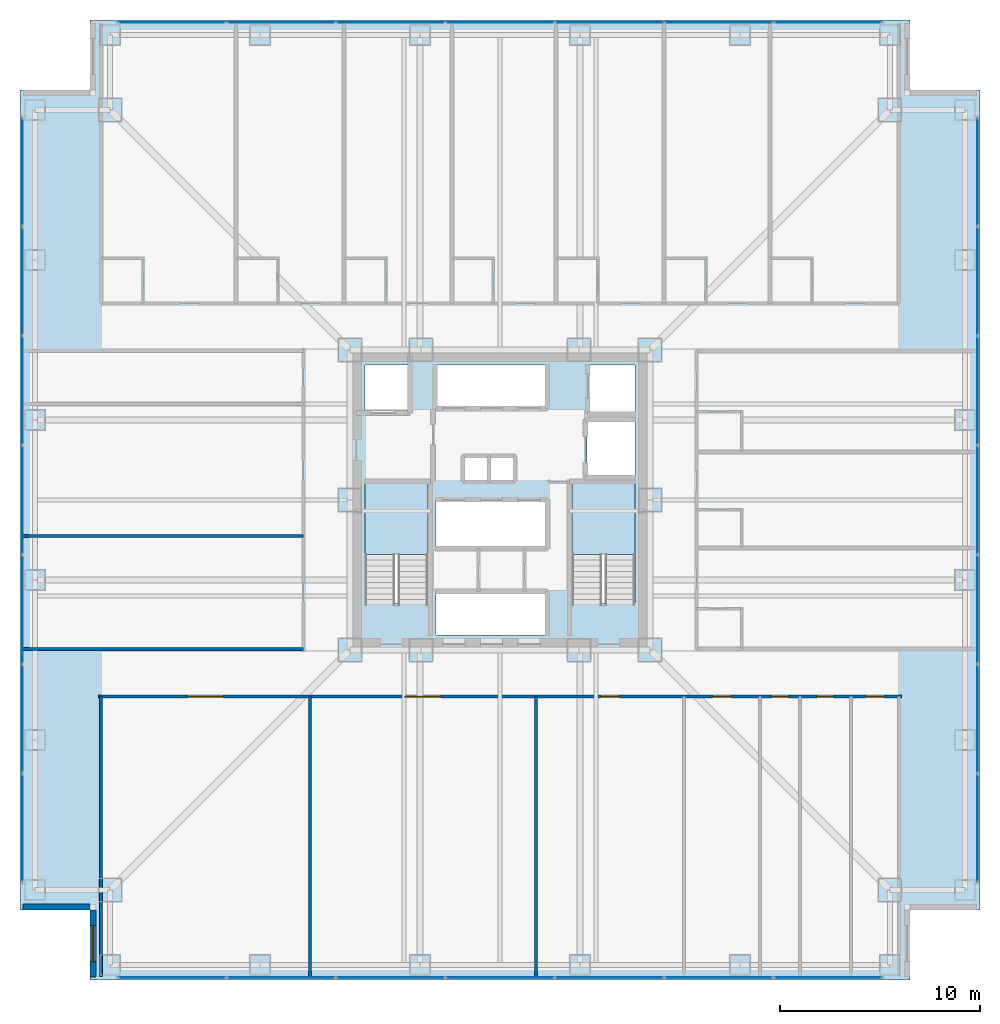
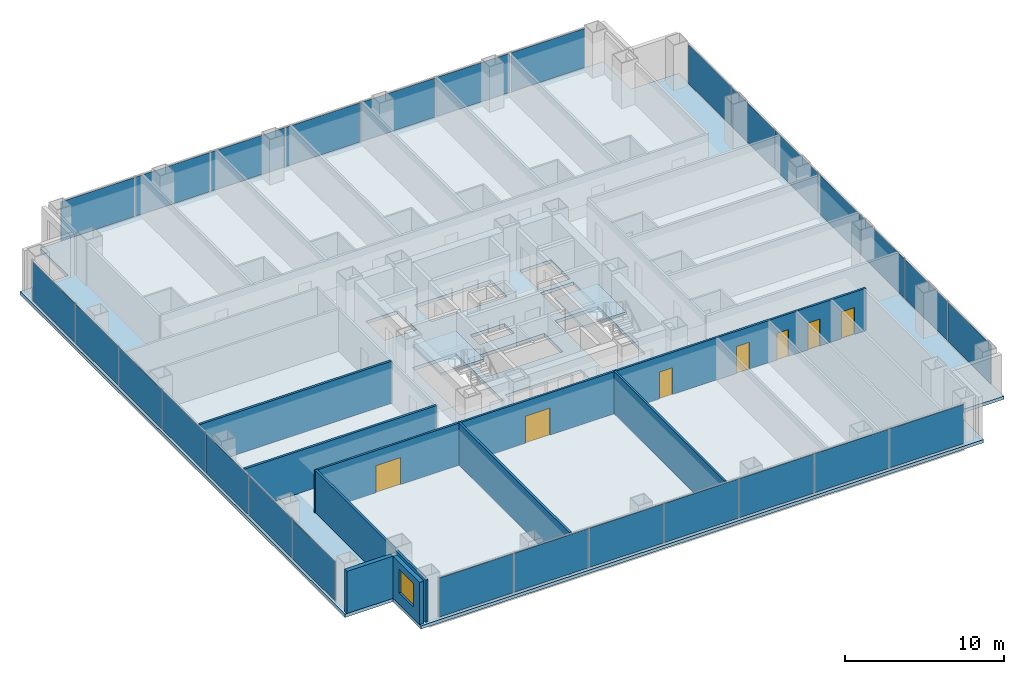
# One storey, part 10 of 16: 28 plates, 8 walls, 7 doors, 3 slabs, 1 window, 8 openings, 6 elements without a shape of their own.
"""IFC4 building model written with IfcOpenShell, lengths in metres."""

from ifc_helpers import new_model, si_unit, direction, frame, frame_2d, origin, origin_2d, place, context, subcontext, project, spatial, polyline, rectangle, outline, extrude, material, layer, layer_set, type_object, element, fill, aggregate, save


model = new_model("IFC4")

# Units and contexts
model_context = context("Model", 3, precision=1e-05, world=origin(), true_north=direction((0.0, 1.0)))
body_context = subcontext(model_context, "Body", "Model", "MODEL_VIEW")
ifc_project = project(units=[si_unit("LENGTHUNIT", "METRE"), si_unit("AREAUNIT", "SQUARE_METRE"), si_unit("VOLUMEUNIT", "CUBIC_METRE"), si_unit("PLANEANGLEUNIT", "RADIAN"), si_unit("MASSUNIT", "GRAM", prefix="KILO")], contexts=[model_context])

# Site, building, storey
site_placement = place(None, origin())
site = spatial("IfcSite", under=ifc_project, at=site_placement, CompositionType="ELEMENT")
building_placement = place(site_placement, origin())
building = spatial("IfcBuilding", under=site, at=building_placement, Name="Trevonay Congress Spire", CompositionType="ELEMENT")
storey_placement = place(building_placement, frame((0.0, 0.0, 72.5)))
storey = spatial("IfcBuildingStorey", under=building, at=storey_placement, Name="L18", CompositionType="ELEMENT", Elevation=72.5)

# Curtain wall, plates
ifc_material_1 = material(Name="Pale Anodised Aluminium EN AW-6063-T6", Category="aluminium")
ifc_layer_1 = layer(ifc_material_1, 0.179931640625, Name="Pale Anodised Aluminium EN AW-6063-T6")
ifc_layer_set_1 = layer_set([ifc_layer_1], Name="Pale Anodised Aluminium EN AW-6063-T6")
curtain_wall_type = type_object("IfcCurtainWallType", Name="CW-SYS02-HOTEL-PALE-METAL", PredefinedType="NOTDEFINED", material=ifc_layer_set_1)
curtain_wall_1_placement = place(storey_placement, origin())
curtain_wall_1 = element("IfcCurtainWall", 1, at=curtain_wall_1_placement, inside=storey, type_object=curtain_wall_type, Name="L18 S unitised curtain wall", PredefinedType="NOTDEFINED")
ifc_material_2 = material(Name="Insulated Low-E Vision Glass IGU", Category="glass")
ifc_layer_2 = layer(ifc_material_2, 0.035888671875, Name="Insulated Low-E Vision Glass IGU")
ifc_layer_set_2 = layer_set([ifc_layer_2], Name="Insulated Low-E Vision Glass IGU")
plate_type = type_object("IfcPlateType", Name="CW-PANEL-IGU36-SILVER", PredefinedType="CURTAIN_PANEL", material=ifc_layer_set_2)
plate_1_placement = place(storey_placement, frame((-16.399169921875, -23.8798828125, 0.1201171875), z_axis=(0.0, 0.0, 1.0), x_axis=(1.0, 0.0, 0.0)))
plate_1 = element("IfcPlate", 2, at=plate_1_placement, type_object=plate_type, Name="CW02 panel 1.1", PredefinedType="CURTAIN_PANEL", context=body_context, shape_type="SweptSolid", body=[
    extrude(rectangle(XDim=5.38134765625, YDim=0.035888671875, at=origin_2d()), origin(), (0.0, 0.0, 1.0), 3.010009765625),
])
plate_2_placement = place(storey_placement, frame((-10.94287109375, -23.8798828125, 0.1201171875), z_axis=(0.0, 0.0, 1.0), x_axis=(1.0, 0.0, 0.0)))
plate_2 = element("IfcPlate", 3, at=plate_2_placement, type_object=plate_type, Name="CW02 panel 2.1", PredefinedType="CURTAIN_PANEL", context=body_context, shape_type="SweptSolid", body=[
    extrude(rectangle(XDim=5.411376953125, YDim=0.035888671875, at=origin_2d()), origin(), (0.0, 0.0, 1.0), 3.010009765625),
])
plate_3_placement = place(storey_placement, frame((-5.471435546875, -23.8798828125, 0.1201171875), z_axis=(0.0, 0.0, 1.0), x_axis=(1.0, 0.0, 0.0)))
plate_3 = element("IfcPlate", 4, at=plate_3_placement, type_object=plate_type, Name="CW02 panel 3.1", PredefinedType="CURTAIN_PANEL", context=body_context, shape_type="SweptSolid", body=[
    extrude(rectangle(XDim=5.411376953125, YDim=0.035888671875, at=origin_2d()), origin(), (0.0, 0.0, 1.0), 3.010009765625),
])
plate_4_placement = place(storey_placement, frame((0.0, -23.8798828125, 0.1201171875), z_axis=(0.0, 0.0, 1.0), x_axis=(1.0, 0.0, 0.0)))
plate_4 = element("IfcPlate", 5, at=plate_4_placement, type_object=plate_type, Name="CW02 panel 4.1", PredefinedType="CURTAIN_PANEL", context=body_context, shape_type="SweptSolid", body=[
    extrude(rectangle(XDim=5.411376953125, YDim=0.035888671875, at=origin_2d()), origin(), (0.0, 0.0, 1.0), 3.010009765625),
])
plate_5_placement = place(storey_placement, frame((5.471435546875, -23.8798828125, 0.1201171875), z_axis=(0.0, 0.0, 1.0), x_axis=(1.0, 0.0, 0.0)))
plate_5 = element("IfcPlate", 6, at=plate_5_placement, type_object=plate_type, Name="CW02 panel 5.1", PredefinedType="CURTAIN_PANEL", context=body_context, shape_type="SweptSolid", body=[
    extrude(rectangle(XDim=5.411376953125, YDim=0.035888671875, at=origin_2d()), origin(), (0.0, 0.0, 1.0), 3.010009765625),
])
plate_6_placement = place(storey_placement, frame((10.94287109375, -23.8798828125, 0.1201171875), z_axis=(0.0, 0.0, 1.0), x_axis=(1.0, 0.0, 0.0)))
plate_6 = element("IfcPlate", 7, at=plate_6_placement, type_object=plate_type, Name="CW02 panel 6.1", PredefinedType="CURTAIN_PANEL", context=body_context, shape_type="SweptSolid", body=[
    extrude(rectangle(XDim=5.411376953125, YDim=0.035888671875, at=origin_2d()), origin(), (0.0, 0.0, 1.0), 3.010009765625),
])
plate_7_placement = place(storey_placement, frame((16.399169921875, -23.8798828125, 0.1201171875), z_axis=(0.0, 0.0, 1.0), x_axis=(1.0, 0.0, 0.0)))
plate_7 = element("IfcPlate", 8, at=plate_7_placement, type_object=plate_type, Name="CW02 panel 7.1", PredefinedType="CURTAIN_PANEL", context=body_context, shape_type="SweptSolid", body=[
    extrude(rectangle(XDim=5.38134765625, YDim=0.035888671875, at=origin_2d()), origin(), (0.0, 0.0, 1.0), 3.010009765625),
])
aggregate(curtain_wall_1, [plate_1, plate_2, plate_3, plate_4, plate_5, plate_6, plate_7])

curtain_wall_2_placement = place(storey_placement, origin())
curtain_wall_2 = element("IfcCurtainWall", 9, at=curtain_wall_2_placement, inside=storey, type_object=curtain_wall_type, Name="L18 N unitised curtain wall", PredefinedType="NOTDEFINED")
plate_8_placement = place(storey_placement, frame((-16.399169921875, 23.8798828125, 0.1201171875), z_axis=(0.0, 0.0, 1.0), x_axis=(1.0, 0.0, 0.0)))
plate_8 = element("IfcPlate", 10, at=plate_8_placement, type_object=plate_type, Name="CW02 panel 1.1", PredefinedType="CURTAIN_PANEL", context=body_context, shape_type="SweptSolid", body=[
    extrude(rectangle(XDim=5.38134765625, YDim=0.035888671875, at=origin_2d()), origin(), (0.0, 0.0, 1.0), 3.010009765625),
])
plate_9_placement = place(storey_placement, frame((-10.94287109375, 23.8798828125, 0.1201171875), z_axis=(0.0, 0.0, 1.0), x_axis=(1.0, 0.0, 0.0)))
plate_9 = element("IfcPlate", 11, at=plate_9_placement, type_object=plate_type, Name="CW02 panel 2.1", PredefinedType="CURTAIN_PANEL", context=body_context, shape_type="SweptSolid", body=[
    extrude(rectangle(XDim=5.411376953125, YDim=0.035888671875, at=origin_2d()), origin(), (0.0, 0.0, 1.0), 3.010009765625),
])
plate_10_placement = place(storey_placement, frame((-5.471435546875, 23.8798828125, 0.1201171875), z_axis=(0.0, 0.0, 1.0), x_axis=(1.0, 0.0, 0.0)))
plate_10 = element("IfcPlate", 12, at=plate_10_placement, type_object=plate_type, Name="CW02 panel 3.1", PredefinedType="CURTAIN_PANEL", context=body_context, shape_type="SweptSolid", body=[
    extrude(rectangle(XDim=5.411376953125, YDim=0.035888671875, at=origin_2d()), origin(), (0.0, 0.0, 1.0), 3.010009765625),
])
plate_11_placement = place(storey_placement, frame((0.0, 23.8798828125, 0.1201171875), z_axis=(0.0, 0.0, 1.0), x_axis=(1.0, 0.0, 0.0)))
plate_11 = element("IfcPlate", 13, at=plate_11_placement, type_object=plate_type, Name="CW02 panel 4.1", PredefinedType="CURTAIN_PANEL", context=body_context, shape_type="SweptSolid", body=[
    extrude(rectangle(XDim=5.411376953125, YDim=0.035888671875, at=origin_2d()), origin(), (0.0, 0.0, 1.0), 3.010009765625),
])
plate_12_placement = place(storey_placement, frame((5.471435546875, 23.8798828125, 0.1201171875), z_axis=(0.0, 0.0, 1.0), x_axis=(1.0, 0.0, 0.0)))
plate_12 = element("IfcPlate", 14, at=plate_12_placement, type_object=plate_type, Name="CW02 panel 5.1", PredefinedType="CURTAIN_PANEL", context=body_context, shape_type="SweptSolid", body=[
    extrude(rectangle(XDim=5.411376953125, YDim=0.035888671875, at=origin_2d()), origin(), (0.0, 0.0, 1.0), 3.010009765625),
])
plate_13_placement = place(storey_placement, frame((10.94287109375, 23.8798828125, 0.1201171875), z_axis=(0.0, 0.0, 1.0), x_axis=(1.0, 0.0, 0.0)))
plate_13 = element("IfcPlate", 15, at=plate_13_placement, type_object=plate_type, Name="CW02 panel 6.1", PredefinedType="CURTAIN_PANEL", context=body_context, shape_type="SweptSolid", body=[
    extrude(rectangle(XDim=5.411376953125, YDim=0.035888671875, at=origin_2d()), origin(), (0.0, 0.0, 1.0), 3.010009765625),
])
plate_14_placement = place(storey_placement, frame((16.399169921875, 23.8798828125, 0.1201171875), z_axis=(0.0, 0.0, 1.0), x_axis=(1.0, 0.0, 0.0)))
plate_14 = element("IfcPlate", 16, at=plate_14_placement, type_object=plate_type, Name="CW02 panel 7.1", PredefinedType="CURTAIN_PANEL", context=body_context, shape_type="SweptSolid", body=[
    extrude(rectangle(XDim=5.38134765625, YDim=0.035888671875, at=origin_2d()), origin(), (0.0, 0.0, 1.0), 3.010009765625),
])
aggregate(curtain_wall_2, [plate_8, plate_9, plate_10, plate_11, plate_12, plate_13, plate_14])

curtain_wall_3_placement = place(storey_placement, origin())
curtain_wall_3 = element("IfcCurtainWall", 17, at=curtain_wall_3_placement, inside=storey, type_object=curtain_wall_type, Name="L18 W unitised curtain wall", PredefinedType="NOTDEFINED")
plate_15_placement = place(storey_placement, frame((-23.8798828125, -16.399169921875, 0.1201171875), z_axis=(0.0, 0.0, 1.0), x_axis=(0.0, 1.0, 0.0)))
plate_15 = element("IfcPlate", 18, at=plate_15_placement, type_object=plate_type, Name="CW02 panel 1.1", PredefinedType="CURTAIN_PANEL", context=body_context, shape_type="SweptSolid", body=[
    extrude(rectangle(XDim=5.38134765625, YDim=0.035888671875, at=origin_2d()), origin(), (0.0, 0.0, 1.0), 3.010009765625),
])
plate_16_placement = place(storey_placement, frame((-23.8798828125, -10.94287109375, 0.1201171875), z_axis=(0.0, 0.0, 1.0), x_axis=(0.0, 1.0, 0.0)))
plate_16 = element("IfcPlate", 19, at=plate_16_placement, type_object=plate_type, Name="CW02 panel 2.1", PredefinedType="CURTAIN_PANEL", context=body_context, shape_type="SweptSolid", body=[
    extrude(rectangle(XDim=5.411376953125, YDim=0.035888671875, at=origin_2d()), origin(), (0.0, 0.0, 1.0), 3.010009765625),
])
plate_17_placement = place(storey_placement, frame((-23.8798828125, -5.471435546875, 0.1201171875), z_axis=(0.0, 0.0, 1.0), x_axis=(0.0, 1.0, 0.0)))
plate_17 = element("IfcPlate", 20, at=plate_17_placement, type_object=plate_type, Name="CW02 panel 3.1", PredefinedType="CURTAIN_PANEL", context=body_context, shape_type="SweptSolid", body=[
    extrude(rectangle(XDim=5.411376953125, YDim=0.035888671875, at=origin_2d()), origin(), (0.0, 0.0, 1.0), 3.010009765625),
])
plate_18_placement = place(storey_placement, frame((-23.8798828125, 0.0, 0.1201171875), z_axis=(0.0, 0.0, 1.0), x_axis=(0.0, 1.0, 0.0)))
plate_18 = element("IfcPlate", 21, at=plate_18_placement, type_object=plate_type, Name="CW02 panel 4.1", PredefinedType="CURTAIN_PANEL", context=body_context, shape_type="SweptSolid", body=[
    extrude(rectangle(XDim=5.411376953125, YDim=0.035888671875, at=origin_2d()), origin(), (0.0, 0.0, 1.0), 3.010009765625),
])
plate_19_placement = place(storey_placement, frame((-23.8798828125, 5.471435546875, 0.1201171875), z_axis=(0.0, 0.0, 1.0), x_axis=(0.0, 1.0, 0.0)))
plate_19 = element("IfcPlate", 22, at=plate_19_placement, type_object=plate_type, Name="CW02 panel 5.1", PredefinedType="CURTAIN_PANEL", context=body_context, shape_type="SweptSolid", body=[
    extrude(rectangle(XDim=5.411376953125, YDim=0.035888671875, at=origin_2d()), origin(), (0.0, 0.0, 1.0), 3.010009765625),
])
plate_20_placement = place(storey_placement, frame((-23.8798828125, 10.94287109375, 0.1201171875), z_axis=(0.0, 0.0, 1.0), x_axis=(0.0, 1.0, 0.0)))
plate_20 = element("IfcPlate", 23, at=plate_20_placement, type_object=plate_type, Name="CW02 panel 6.1", PredefinedType="CURTAIN_PANEL", context=body_context, shape_type="SweptSolid", body=[
    extrude(rectangle(XDim=5.411376953125, YDim=0.035888671875, at=origin_2d()), origin(), (0.0, 0.0, 1.0), 3.010009765625),
])
plate_21_placement = place(storey_placement, frame((-23.8798828125, 16.399169921875, 0.1201171875), z_axis=(0.0, 0.0, 1.0), x_axis=(0.0, 1.0, 0.0)))
plate_21 = element("IfcPlate", 24, at=plate_21_placement, type_object=plate_type, Name="CW02 panel 7.1", PredefinedType="CURTAIN_PANEL", context=body_context, shape_type="SweptSolid", body=[
    extrude(rectangle(XDim=5.38134765625, YDim=0.035888671875, at=origin_2d()), origin(), (0.0, 0.0, 1.0), 3.010009765625),
])
aggregate(curtain_wall_3, [plate_15, plate_16, plate_17, plate_18, plate_19, plate_20, plate_21])

curtain_wall_4_placement = place(storey_placement, origin())
curtain_wall_4 = element("IfcCurtainWall", 25, at=curtain_wall_4_placement, inside=storey, type_object=curtain_wall_type, Name="L18 E unitised curtain wall", PredefinedType="NOTDEFINED")
plate_22_placement = place(storey_placement, frame((23.8798828125, -16.399169921875, 0.1201171875), z_axis=(0.0, 0.0, 1.0), x_axis=(0.0, 1.0, 0.0)))
plate_22 = element("IfcPlate", 26, at=plate_22_placement, type_object=plate_type, Name="CW02 panel 1.1", PredefinedType="CURTAIN_PANEL", context=body_context, shape_type="SweptSolid", body=[
    extrude(rectangle(XDim=5.38134765625, YDim=0.035888671875, at=origin_2d()), origin(), (0.0, 0.0, 1.0), 3.010009765625),
])
plate_23_placement = place(storey_placement, frame((23.8798828125, -10.94287109375, 0.1201171875), z_axis=(0.0, 0.0, 1.0), x_axis=(0.0, 1.0, 0.0)))
plate_23 = element("IfcPlate", 27, at=plate_23_placement, type_object=plate_type, Name="CW02 panel 2.1", PredefinedType="CURTAIN_PANEL", context=body_context, shape_type="SweptSolid", body=[
    extrude(rectangle(XDim=5.411376953125, YDim=0.035888671875, at=origin_2d()), origin(), (0.0, 0.0, 1.0), 3.010009765625),
])
plate_24_placement = place(storey_placement, frame((23.8798828125, -5.471435546875, 0.1201171875), z_axis=(0.0, 0.0, 1.0), x_axis=(0.0, 1.0, 0.0)))
plate_24 = element("IfcPlate", 28, at=plate_24_placement, type_object=plate_type, Name="CW02 panel 3.1", PredefinedType="CURTAIN_PANEL", context=body_context, shape_type="SweptSolid", body=[
    extrude(rectangle(XDim=5.411376953125, YDim=0.035888671875, at=origin_2d()), origin(), (0.0, 0.0, 1.0), 3.010009765625),
])
plate_25_placement = place(storey_placement, frame((23.8798828125, 0.0, 0.1201171875), z_axis=(0.0, 0.0, 1.0), x_axis=(0.0, 1.0, 0.0)))
plate_25 = element("IfcPlate", 29, at=plate_25_placement, type_object=plate_type, Name="CW02 panel 4.1", PredefinedType="CURTAIN_PANEL", context=body_context, shape_type="SweptSolid", body=[
    extrude(rectangle(XDim=5.411376953125, YDim=0.035888671875, at=origin_2d()), origin(), (0.0, 0.0, 1.0), 3.010009765625),
])
plate_26_placement = place(storey_placement, frame((23.8798828125, 5.471435546875, 0.1201171875), z_axis=(0.0, 0.0, 1.0), x_axis=(0.0, 1.0, 0.0)))
plate_26 = element("IfcPlate", 30, at=plate_26_placement, type_object=plate_type, Name="CW02 panel 5.1", PredefinedType="CURTAIN_PANEL", context=body_context, shape_type="SweptSolid", body=[
    extrude(rectangle(XDim=5.411376953125, YDim=0.035888671875, at=origin_2d()), origin(), (0.0, 0.0, 1.0), 3.010009765625),
])
plate_27_placement = place(storey_placement, frame((23.8798828125, 10.94287109375, 0.1201171875), z_axis=(0.0, 0.0, 1.0), x_axis=(0.0, 1.0, 0.0)))
plate_27 = element("IfcPlate", 31, at=plate_27_placement, type_object=plate_type, Name="CW02 panel 6.1", PredefinedType="CURTAIN_PANEL", context=body_context, shape_type="SweptSolid", body=[
    extrude(rectangle(XDim=5.411376953125, YDim=0.035888671875, at=origin_2d()), origin(), (0.0, 0.0, 1.0), 3.010009765625),
])
plate_28_placement = place(storey_placement, frame((23.8798828125, 16.399169921875, 0.1201171875), z_axis=(0.0, 0.0, 1.0), x_axis=(0.0, 1.0, 0.0)))
plate_28 = element("IfcPlate", 32, at=plate_28_placement, type_object=plate_type, Name="CW02 panel 7.1", PredefinedType="CURTAIN_PANEL", context=body_context, shape_type="SweptSolid", body=[
    extrude(rectangle(XDim=5.38134765625, YDim=0.035888671875, at=origin_2d()), origin(), (0.0, 0.0, 1.0), 3.010009765625),
])
aggregate(curtain_wall_4, [plate_22, plate_23, plate_24, plate_25, plate_26, plate_27, plate_28])

# Stair, slab
ifc_material_3 = material(Name="Concrete C40/50", Category="concrete")
stair_type_1 = type_object("IfcStairType", Name="STR-ST-1", PredefinedType="HALF_TURN_STAIR", material=ifc_material_3)
stair_1_placement = place(storey_placement, origin())
stair_1 = element("IfcStair", 33, at=stair_1_placement, inside=storey, type_object=stair_type_1, Name="L18 Protected Exit Stair ST-1", PredefinedType="HALF_TURN_STAIR")
ifc_layer_3 = layer(ifc_material_3, 0.199951171875, Name="Concrete C40/50")
ifc_layer_set_3 = layer_set([ifc_layer_3], Name="Concrete C40/50")
slab_type_1 = type_object("IfcSlabType", Name="SLB-STAIR-LAND-200", PredefinedType="LANDING", material=ifc_layer_set_3)
slab_1_placement = place(storey_placement, frame((0.0, 0.0, 1.550048828125)))
slab_1 = element("IfcSlab", 34, at=slab_1_placement, type_object=slab_type_1, Name="ST-1 landing 1", PredefinedType="LANDING", context=body_context, shape_type="SweptSolid", body=[
    extrude(outline(polyline([(-3.60009765625, -2.72998046875), (-3.60009765625, 0.85009765625), (-6.75, 0.85009765625), (-6.75, -2.72998046875), (-3.60009765625, -2.72998046875)])), origin(), (0.0, 0.0, 1.0), 0.199951171875),
])
aggregate(stair_1, [slab_1])

stair_type_2 = type_object("IfcStairType", Name="STR-ST-2", PredefinedType="HALF_TURN_STAIR", material=ifc_material_3)
stair_2_placement = place(storey_placement, origin())
stair_2 = element("IfcStair", 35, at=stair_2_placement, inside=storey, type_object=stair_type_2, Name="L18 Protected Exit Stair ST-2", PredefinedType="HALF_TURN_STAIR")
slab_2_placement = place(storey_placement, frame((0.0, 0.0, 1.550048828125)))
slab_2 = element("IfcSlab", 36, at=slab_2_placement, type_object=slab_type_1, Name="ST-2 landing 1", PredefinedType="LANDING", context=body_context, shape_type="SweptSolid", body=[
    extrude(outline(polyline([(6.75, -2.72998046875), (6.75, 0.85009765625), (3.60009765625, 0.85009765625), (3.60009765625, -2.72998046875), (6.75, -2.72998046875)])), origin(), (0.0, 0.0, 1.0), 0.199951171875),
])
aggregate(stair_2, [slab_2])

# Slab
ifc_layer_4 = layer(ifc_material_3, 0.25, Name="Concrete C40/50")
ifc_layer_set_4 = layer_set([ifc_layer_4], Name="Concrete C40/50")
slab_type_2 = type_object("IfcSlabType", Name="SLB-TOW1-250", PredefinedType="FLOOR", material=ifc_layer_set_4)
slab_3_placement = place(storey_placement, frame((0.0, 0.0, -0.25)))
element("IfcSlab", 37, at=slab_3_placement, inside=storey, type_object=slab_type_2, Name="L18 structural floor slab", PredefinedType="FLOOR", context=body_context, shape_type="SweptSolid", body=[
    extrude(outline(polyline([(-20.5, -24.0), (20.5, -24.0), (20.5, -20.5), (24.0, -20.5), (24.0, 20.5), (20.5, 20.5), (20.5, 24.0), (-20.5, 24.0), (-20.5, 20.5), (-24.0, 20.5), (-24.0, -20.5), (-20.5, -20.5), (-20.5, -24.0)]), holes=[polyline([(-3.60009765625, -5.14990234375), (-3.60009765625, 0.85009765625), (-6.75, 0.85009765625), (-6.75, -5.14990234375), (-3.60009765625, -5.14990234375)]), polyline([(6.75, -5.14990234375), (6.75, 0.85009765625), (3.60009765625, 0.85009765625), (3.60009765625, -5.14990234375), (6.75, -5.14990234375)]), polyline([(-3.199951171875, -6.75), (2.340087890625, -6.75), (2.340087890625, -4.64990234375), (-3.199951171875, -4.64990234375), (-3.199951171875, -6.75)]), polyline([(-3.199951171875, -2.35009765625), (2.340087890625, -2.35009765625), (2.340087890625, -0.050048828125), (-3.199951171875, -0.050048828125), (-3.199951171875, -2.35009765625)]), polyline([(-3.199951171875, 4.64990234375), (2.340087890625, 4.64990234375), (2.340087890625, 6.75), (-3.199951171875, 6.75), (-3.199951171875, 4.64990234375)]), polyline([(-6.75, 4.35009765625), (-4.449951171875, 4.35009765625), (-4.449951171875, 6.75), (-6.75, 6.75), (-6.75, 4.35009765625)]), polyline([(4.449951171875, 4.35009765625), (6.75, 4.35009765625), (6.75, 6.75), (4.449951171875, 6.75), (4.449951171875, 4.35009765625)]), polyline([(4.35009765625, 1.199951171875), (6.75, 1.199951171875), (6.75, 3.949951171875), (4.35009765625, 3.949951171875), (4.35009765625, 1.199951171875)]), polyline([(-1.800048828125, 0.949951171875), (0.699951171875, 0.949951171875), (0.699951171875, 2.14990234375), (-1.800048828125, 2.14990234375), (-1.800048828125, 0.949951171875)])]), origin(), (0.0, 0.0, 1.0), 0.25),
])

# Wall, openings, doors
ifc_layer_5 = layer(ifc_material_3, 0.14990234375, Name="Concrete C40/50")
ifc_layer_set_5 = layer_set([ifc_layer_5], Name="Concrete C40/50")
wall_type_1 = type_object("IfcWallType", Name="WAL-CORR-150", PredefinedType="PARTITIONING", material=ifc_layer_set_5)
wall_1_placement = place(storey_placement, frame((-20.070068359375, -9.830078125, 0.0), z_axis=(0.0, 0.0, 1.0), x_axis=(1.0, 0.0, 0.0)))
wall_1 = element("IfcWall", 38, at=wall_1_placement, inside=storey, type_object=wall_type_1, Name="L18 interior wall WP-L18S-COR", PredefinedType="PARTITIONING", context=body_context, shape_type="SweptSolid", body=[
    extrude(rectangle(XDim=40.14013671875, YDim=0.14990234375, at=frame_2d((20.070068359375, 0.0))), origin(), (0.0, 0.0, 1.0), 3.25),
])
opening_1_placement = place(wall_1_placement, frame((4.445068359375, 0.0, 0.0)))
opening_1 = element("IfcOpeningElement", 39, at=opening_1_placement, cuts=wall_1, Name="Opening D09", PredefinedType="OPENING", context=body_context, shape_type="SweptSolid", body=[
    extrude(rectangle(XDim=1.800048828125, YDim=2.080078125, at=frame_2d((0.89990234375, 1.0400390625))), frame((0.0, 0.0849609375, 0.0), z_axis=(0.0, -1.0, 0.0), x_axis=(1.0, 0.0, 0.0)), (0.0, 0.0, 1.0), 0.169921875),
])
opening_2_placement = place(wall_1_placement, frame((15.320068359375, 0.0, 0.0)))
opening_2 = element("IfcOpeningElement", 40, at=opening_2_placement, cuts=wall_1, Name="Opening D09", PredefinedType="OPENING", context=body_context, shape_type="SweptSolid", body=[
    extrude(rectangle(XDim=1.800048828125, YDim=2.080078125, at=frame_2d((0.89990234375, 1.0400390625))), frame((0.0, 0.0849609375, 0.0), z_axis=(0.0, -1.0, 0.0), x_axis=(1.0, 0.0, 0.0)), (0.0, 0.0, 1.0), 0.169921875),
])
opening_3_placement = place(wall_1_placement, frame((25.094970703125, 0.0, 0.0)))
opening_3 = element("IfcOpeningElement", 41, at=opening_3_placement, cuts=wall_1, Name="Opening D07", PredefinedType="OPENING", context=body_context, shape_type="SweptSolid", body=[
    extrude(rectangle(XDim=0.949951171875, YDim=2.06005859375, at=frame_2d((0.47509765625, 1.030029296875))), frame((0.0, 0.0849609375, 0.0), z_axis=(0.0, -1.0, 0.0), x_axis=(1.0, 0.0, 0.0)), (0.0, 0.0, 1.0), 0.169921875),
])
opening_4_placement = place(wall_1_placement, frame((30.695068359375, 0.0, 0.0)))
opening_4 = element("IfcOpeningElement", 42, at=opening_4_placement, cuts=wall_1, Name="Opening D07", PredefinedType="OPENING", context=body_context, shape_type="SweptSolid", body=[
    extrude(rectangle(XDim=0.949951171875, YDim=2.06005859375, at=frame_2d((0.47509765625, 1.030029296875))), frame((0.0, 0.0849609375, 0.0), z_axis=(0.0, -1.0, 0.0), x_axis=(1.0, 0.0, 0.0)), (0.0, 0.0, 1.0), 0.169921875),
])
opening_5_placement = place(wall_1_placement, frame((33.64501953125, 0.0, 0.0)))
opening_5 = element("IfcOpeningElement", 43, at=opening_5_placement, cuts=wall_1, Name="Opening D10", PredefinedType="OPENING", context=body_context, shape_type="SweptSolid", body=[
    extrude(rectangle(XDim=0.85009765625, YDim=2.050048828125, at=frame_2d((0.425048828125, 1.02490234375))), frame((0.0, 0.0849609375, 0.0), z_axis=(0.0, -1.0, 0.0), x_axis=(1.0, 0.0, 0.0)), (0.0, 0.0, 1.0), 0.169921875),
])
opening_6_placement = place(wall_1_placement, frame((35.919921875, 0.0, 0.0)))
opening_6 = element("IfcOpeningElement", 44, at=opening_6_placement, cuts=wall_1, Name="Opening D10", PredefinedType="OPENING", context=body_context, shape_type="SweptSolid", body=[
    extrude(rectangle(XDim=0.85009765625, YDim=2.050048828125, at=frame_2d((0.425048828125, 1.02490234375))), frame((0.0, 0.0849609375, 0.0), z_axis=(0.0, -1.0, 0.0), x_axis=(1.0, 0.0, 0.0)), (0.0, 0.0, 1.0), 0.169921875),
])
opening_7_placement = place(wall_1_placement, frame((38.344970703125, 0.0, 0.0)))
opening_7 = element("IfcOpeningElement", 45, at=opening_7_placement, cuts=wall_1, Name="Opening D07", PredefinedType="OPENING", context=body_context, shape_type="SweptSolid", body=[
    extrude(rectangle(XDim=0.949951171875, YDim=2.06005859375, at=frame_2d((0.47509765625, 1.030029296875))), frame((0.0, 0.0849609375, 0.0), z_axis=(0.0, -1.0, 0.0), x_axis=(1.0, 0.0, 0.0)), (0.0, 0.0, 1.0), 0.169921875),
])
door_type_1 = type_object("IfcDoorType", Name="DOR-CONF-DBL", OperationType="DOUBLE_DOOR_SINGLE_SWING", PredefinedType="DOOR", material=ifc_material_1)
door_1_placement = place(opening_1_placement, origin())
door_1 = element("IfcDoor", 46, at=door_1_placement, inside=storey, type_object=door_type_1, Name="L18 Sky Banquet Dining Salon West Door", OperationType="DOUBLE_DOOR_SINGLE_SWING", OverallHeight=2.080078125, OverallWidth=1.800048828125, PredefinedType="DOOR", context=body_context, shape_type="SweptSolid", body=[
    extrude(rectangle(XDim=1.800048828125, YDim=2.080078125, at=frame_2d((0.89990234375, 1.0400390625))), frame((0.0, 0.02490234375, 0.0), z_axis=(0.0, -1.0, 0.0), x_axis=(1.0, 0.0, 0.0)), (0.0, 0.0, 1.0), 0.050048828125),
])
fill(opening_1, door_1)
door_2_placement = place(opening_2_placement, origin())
door_2 = element("IfcDoor", 47, at=door_2_placement, inside=storey, type_object=door_type_1, Name="L18 Sky Banquet Dining Salon East Door", OperationType="DOUBLE_DOOR_SINGLE_SWING", OverallHeight=2.080078125, OverallWidth=1.800048828125, PredefinedType="DOOR", context=body_context, shape_type="SweptSolid", body=[
    extrude(rectangle(XDim=1.800048828125, YDim=2.080078125, at=frame_2d((0.89990234375, 1.0400390625))), frame((0.0, 0.02490234375, 0.0), z_axis=(0.0, -1.0, 0.0), x_axis=(1.0, 0.0, 0.0)), (0.0, 0.0, 1.0), 0.050048828125),
])
fill(opening_2, door_2)
door_type_2 = type_object("IfcDoorType", Name="DOR-OFFICE-95", OperationType="NOTDEFINED", PredefinedType="DOOR", material=ifc_material_1)
door_3_placement = place(opening_3_placement, origin())
door_3 = element("IfcDoor", 48, at=door_3_placement, inside=storey, type_object=door_type_2, Name="L18 Banquet Finishing Kitchen Door", OperationType="SINGLE_SWING_RIGHT", OverallHeight=2.06005859375, OverallWidth=0.949951171875, PredefinedType="DOOR", context=body_context, shape_type="SweptSolid", body=[
    extrude(rectangle(XDim=0.949951171875, YDim=2.06005859375, at=frame_2d((0.47509765625, 1.030029296875))), frame((0.0, 0.02490234375, 0.0), z_axis=(0.0, -1.0, 0.0), x_axis=(1.0, 0.0, 0.0)), (0.0, 0.0, 1.0), 0.050048828125),
])
fill(opening_3, door_3)
door_4_placement = place(opening_4_placement, origin())
door_4 = element("IfcDoor", 49, at=door_4_placement, inside=storey, type_object=door_type_2, Name="L18 Sommelier Pantry Door", OperationType="SINGLE_SWING_LEFT", OverallHeight=2.06005859375, OverallWidth=0.949951171875, PredefinedType="DOOR", context=body_context, shape_type="SweptSolid", body=[
    extrude(rectangle(XDim=0.949951171875, YDim=2.06005859375, at=frame_2d((0.47509765625, 1.030029296875))), frame((0.0, 0.02490234375, 0.0), z_axis=(0.0, -1.0, 0.0), x_axis=(1.0, 0.0, 0.0)), (0.0, 0.0, 1.0), 0.050048828125),
])
fill(opening_4, door_4)
door_5_placement = place(opening_7_placement, origin())
door_5 = element("IfcDoor", 50, at=door_5_placement, inside=storey, type_object=door_type_2, Name="L18 Floor Supplies and Copy Room Door", OperationType="SINGLE_SWING_RIGHT", OverallHeight=2.06005859375, OverallWidth=0.949951171875, PredefinedType="DOOR", context=body_context, shape_type="SweptSolid", body=[
    extrude(rectangle(XDim=0.949951171875, YDim=2.06005859375, at=frame_2d((0.47509765625, 1.030029296875))), frame((0.0, 0.02490234375, 0.0), z_axis=(0.0, -1.0, 0.0), x_axis=(1.0, 0.0, 0.0)), (0.0, 0.0, 1.0), 0.050048828125),
])
fill(opening_7, door_5)
door_type_3 = type_object("IfcDoorType", Name="DOR-WC-85", OperationType="NOTDEFINED", PredefinedType="DOOR", material=ifc_material_1)
door_6_placement = place(opening_5_placement, origin())
door_6 = element("IfcDoor", 51, at=door_6_placement, inside=storey, type_object=door_type_3, Name="L18 Accessible WC Door", OperationType="SINGLE_SWING_RIGHT", OverallHeight=2.050048828125, OverallWidth=0.85009765625, PredefinedType="DOOR", context=body_context, shape_type="SweptSolid", body=[
    extrude(rectangle(XDim=0.85009765625, YDim=2.050048828125, at=frame_2d((0.425048828125, 1.02490234375))), frame((0.0, 0.02490234375, 0.0), z_axis=(0.0, -1.0, 0.0), x_axis=(1.0, 0.0, 0.0)), (0.0, 0.0, 1.0), 0.050048828125),
])
fill(opening_5, door_6)
door_7_placement = place(opening_6_placement, origin())
door_7 = element("IfcDoor", 52, at=door_7_placement, inside=storey, type_object=door_type_3, Name="L18 Female Restroom WC Door", OperationType="SINGLE_SWING_LEFT", OverallHeight=2.050048828125, OverallWidth=0.85009765625, PredefinedType="DOOR", context=body_context, shape_type="SweptSolid", body=[
    extrude(rectangle(XDim=0.85009765625, YDim=2.050048828125, at=frame_2d((0.425048828125, 1.02490234375))), frame((0.0, 0.02490234375, 0.0), z_axis=(0.0, -1.0, 0.0), x_axis=(1.0, 0.0, 0.0)), (0.0, 0.0, 1.0), 0.050048828125),
])
fill(opening_6, door_7)

# Wall, opening, window
ifc_material_4 = material(Name="Precast concrete C40/50", Category="concrete")
ifc_layer_6 = layer(ifc_material_4, 0.300048828125, Name="Precast concrete C40/50")
ifc_layer_set_6 = layer_set([ifc_layer_6], Name="Precast concrete C40/50")
wall_type_2 = type_object("IfcWallType", Name="WAL-EXT-PRECAST-300", PredefinedType="SOLIDWALL", material=ifc_layer_set_6)
wall_2_placement = place(storey_placement, frame((-20.35009765625, -23.85009765625, 0.0), z_axis=(0.0, 0.0, 1.0), x_axis=(0.0, 1.0, 0.0)))
wall_2 = element("IfcWall", 53, at=wall_2_placement, inside=storey, type_object=wall_type_2, Name="L18 SW re-entrant notch exterior wall 1", PredefinedType="SOLIDWALL", context=body_context, shape_type="SweptSolid", body=[
    extrude(rectangle(XDim=3.35009765625, YDim=0.300048828125, at=frame_2d((1.675048828125, 0.0))), origin(), (0.0, 0.0, 1.0), 3.25),
])
opening_8_placement = place(wall_2_placement, frame((0.77490234375, 0.0, 0.89990234375)))
opening_8 = element("IfcOpeningElement", 54, at=opening_8_placement, cuts=wall_2, Name="Opening WN01", PredefinedType="OPENING", context=body_context, shape_type="SweptSolid", body=[
    extrude(rectangle(XDim=1.800048828125, YDim=1.800048828125, at=frame_2d((0.89990234375, 0.89990234375))), frame((0.0, 0.16015625, 0.0), z_axis=(0.0, -1.0, 0.0), x_axis=(1.0, 0.0, 0.0)), (0.0, 0.0, 1.0), 0.320068359375),
])
window_type = type_object("IfcWindowType", Name="WIN-HOTEL-180X180", PartitioningType="SINGLE_PANEL", PredefinedType="WINDOW", material=ifc_material_2)
window_placement = place(opening_8_placement, origin())
window = element("IfcWindow", 55, at=window_placement, inside=storey, type_object=window_type, Name="L18 SW corner notch window", OverallHeight=1.800048828125, OverallWidth=1.800048828125, PartitioningType="SINGLE_PANEL", PredefinedType="WINDOW", context=body_context, shape_type="SweptSolid", body=[
    extrude(rectangle(XDim=1.800048828125, YDim=1.800048828125, at=frame_2d((0.89990234375, 0.89990234375))), frame((0.0, 0.030029296875, 0.0), z_axis=(0.0, -1.0, 0.0), x_axis=(1.0, 0.0, 0.0)), (0.0, 0.0, 1.0), 0.06005859375),
])
fill(opening_8, window)

# Walls
wall_3_placement = place(storey_placement, frame((-23.85009765625, -20.35009765625, 0.0), z_axis=(0.0, 0.0, 1.0), x_axis=(1.0, 0.0, 0.0)))
element("IfcWall", 56, at=wall_3_placement, inside=storey, type_object=wall_type_2, Name="L18 SW re-entrant notch exterior wall 2", PredefinedType="SOLIDWALL", context=body_context, shape_type="SweptSolid", body=[
    extrude(rectangle(XDim=3.35009765625, YDim=0.300048828125, at=frame_2d((1.675048828125, 0.0))), origin(), (0.0, 0.0, 1.0), 3.25),
])
ifc_layer_7 = layer(ifc_material_3, 0.14990234375, Name="Concrete C40/50")
ifc_layer_set_7 = layer_set([ifc_layer_7], Name="Concrete C40/50")
wall_type_3 = type_object("IfcWallType", Name="WAL-PART-150", PredefinedType="PARTITIONING", material=ifc_layer_set_7)
wall_4_placement = place(storey_placement, frame((1.800048828125, -23.820068359375, 0.0), z_axis=(0.0, 0.0, 1.0), x_axis=(0.0, 1.0, 0.0)))
element("IfcWall", 57, at=wall_4_placement, inside=storey, type_object=wall_type_3, Name="L18 interior wall WP-L18S-DIV3", PredefinedType="PARTITIONING", context=body_context, shape_type="SweptSolid", body=[
    extrude(rectangle(XDim=13.989990234375, YDim=0.14990234375, at=frame_2d((6.9951171875, 0.0))), origin(), (0.0, 0.0, 1.0), 3.25),
])
ifc_layer_8 = layer(ifc_material_3, 0.1650390625, Name="Concrete C40/50")
ifc_layer_set_8 = layer_set([ifc_layer_8], Name="Concrete C40/50")
wall_type_4 = type_object("IfcWallType", Name="WAL-WET-165", PredefinedType="PLUMBINGWALL", material=ifc_layer_set_8)
for number, where, z_axis, x_axis, name in (
    (58, (-19.949951171875, -23.820068359375, 0.0), (0.0, 0.0, 1.0), (0.0, 1.0, 0.0), "L18 interior wall WP-L18S-DIV1"),
    (59, (-9.5, -23.820068359375, 0.0), (0.0, 0.0, 1.0), (0.0, 1.0, 0.0), "L18 interior wall WP-L18S-DIV2"),
    (60, (-23.820068359375, -7.449951171875, 0.0), (0.0, 0.0, 1.0), (1.0, 0.0, 0.0), "L18 interior wall WP-L18W-DIV1"),
    (61, (-23.820068359375, -1.800048828125, 0.0), (0.0, 0.0, 1.0), (1.0, 0.0, 0.0), "L18 interior wall WP-L18W-DIV2"),
):
    element("IfcWall", number, at=place(storey_placement, frame(where, z_axis=z_axis, x_axis=x_axis)), inside=storey, type_object=wall_type_4, Name=name, PredefinedType="PLUMBINGWALL", context=body_context, shape_type="SweptSolid", body=[
        extrude(rectangle(XDim=13.989990234375, YDim=0.1650390625, at=frame_2d((6.9951171875, 0.0))), origin(), (0.0, 0.0, 1.0), 3.25),
    ])

save(model, "model.ifc")
